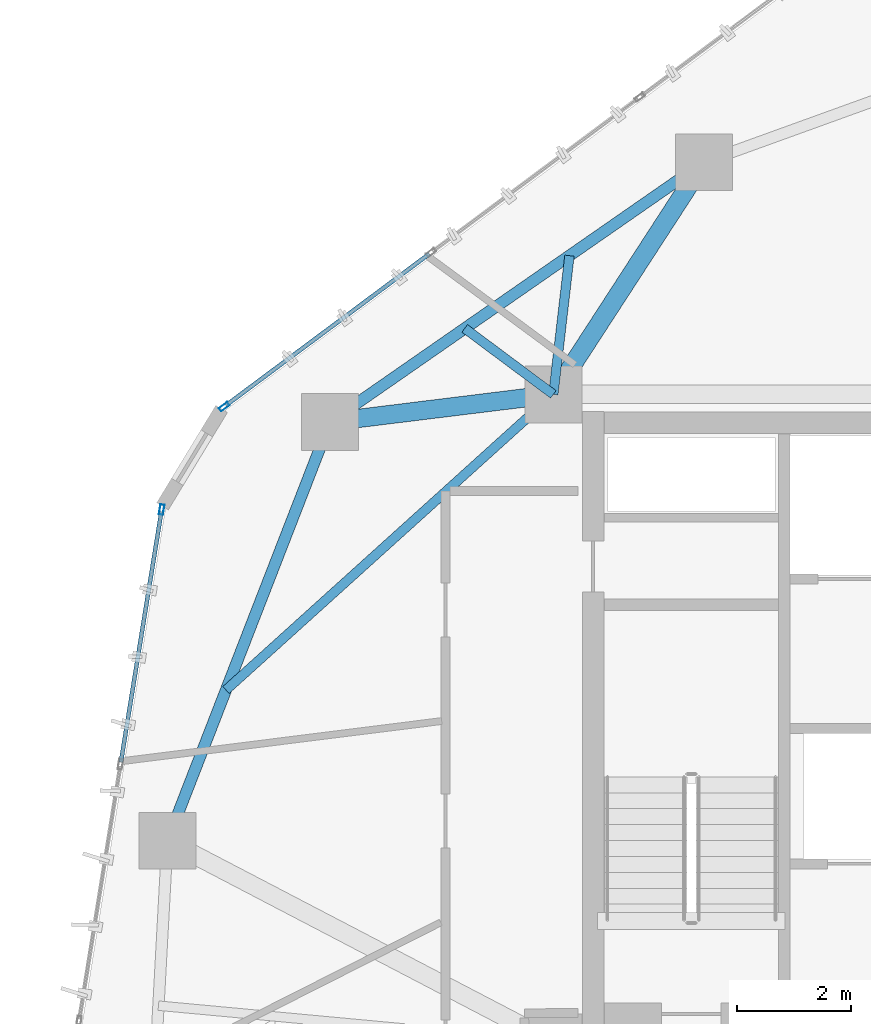
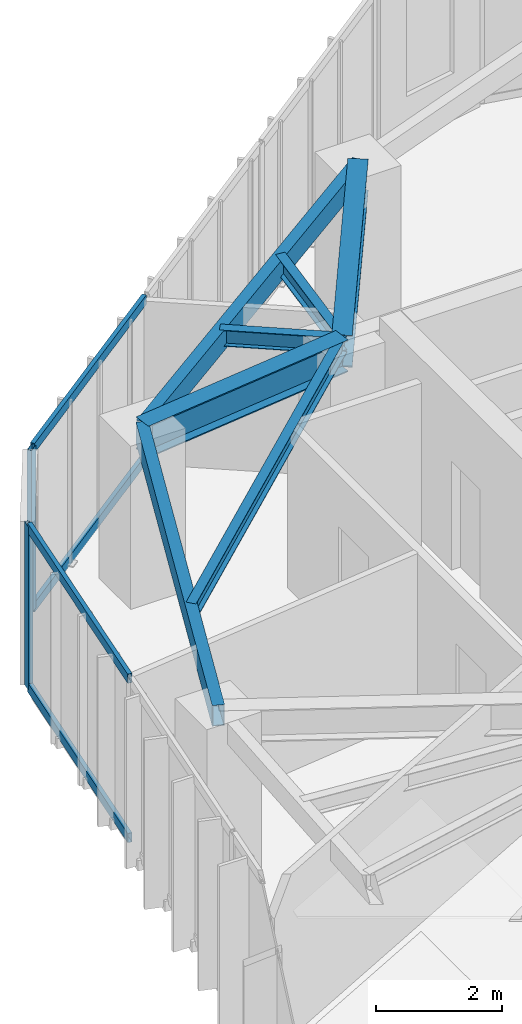
# One storey, part 8 of 20: 7 beams, 6 members, 2 elements without a shape of their own.
"""IFC4 building model written with IfcOpenShell, lengths in metres."""

import ifcopenshell
import ifcopenshell.guid

model = None  # the IFC model being written
_history = None  # IfcOwnerHistory: only IFC2X3 demands one
_inside = {}  # id of a spatial element -> (the spatial element, [elements in it])
_under = {}  # id of a project, library or spatial element -> (it, [spatial elements below it])
_declared = {}  # id of a project -> (the project, [libraries it declares])
_typed = {}  # id of a type object -> (the type object, [elements of that type])
_made_of = {}  # id of a material, layer set ... -> (it, [elements and type objects made of it])


def new_model(schema):
    """Start an empty IFC model of exactly this schema.

    Asked for "IFC4X3", IfcOpenShell would pick the latest addendum, in which some entities
    have other attributes; the version numbers below select the first issue.
    IFC2X3 requires an IfcOwnerHistory on every rooted entity: one is made here for all.
    """
    global model, _history
    if schema == "IFC4X3":
        model = ifcopenshell.file(schema_version=(4, 3, 0, 0))
    else:
        model = ifcopenshell.file(schema=schema)
    _inside.clear()
    _under.clear()
    _declared.clear()
    _typed.clear()
    _made_of.clear()
    _history = None
    if model.schema == "IFC2X3":
        org = make("IfcOrganization", Name="unknown")
        user = make(
            "IfcPersonAndOrganization",
            ThePerson=make("IfcPerson", FamilyName="unknown"),
            TheOrganization=org,
        )
        app = make(
            "IfcApplication",
            ApplicationDeveloper=org,
            Version="unknown",
            ApplicationFullName="unknown",
            ApplicationIdentifier="unknown",
        )
        _history = make(
            "IfcOwnerHistory",
            OwningUser=user,
            OwningApplication=app,
            ChangeAction="ADDED",
            CreationDate=0,
        )
    return model


def make(cls, **values):
    """One entity of the class cls with the attributes given. An attribute that is None is left unset."""
    return model.create_entity(
        cls, **{name: value for name, value in values.items() if value is not None}
    )


def rooted(cls, **values):
    """An entity with a GlobalId (a new one), such as an element, a storey or a relation."""
    return make(cls, GlobalId=ifcopenshell.guid.new(), OwnerHistory=_history, **values)


def si_unit(unit_type, name, prefix=None):
    """IfcSIUnit, for example si_unit("LENGTHUNIT", "METRE", prefix="MILLI")."""
    return make("IfcSIUnit", UnitType=unit_type, Prefix=prefix, Name=name)


def assignment(units):
    """IfcUnitAssignment: the units of a project."""
    return None if units is None else make("IfcUnitAssignment", Units=units)


def point(xyz):
    """IfcCartesianPoint."""
    return None if xyz is None else make("IfcCartesianPoint", Coordinates=xyz)


def direction(xyz):
    """IfcDirection."""
    return None if xyz is None else make("IfcDirection", DirectionRatios=xyz)


def frame(location, z_axis=None, x_axis=None):
    """IfcAxis2Placement3D, a coordinate frame: its origin and axes. An axis left out is left unset."""
    return make(
        "IfcAxis2Placement3D",
        Location=point(location),
        Axis=direction(z_axis),
        RefDirection=direction(x_axis),
    )


def frame_2d(location, x_axis=None):
    """IfcAxis2Placement2D, a coordinate frame in the plane: its origin and x axis."""
    return make(
        "IfcAxis2Placement2D", Location=point(location), RefDirection=direction(x_axis)
    )


def origin():
    """The frame at (0, 0, 0) with its axes left unset."""
    return frame((0.0, 0.0, 0.0))


def origin_2d():
    """The frame at (0, 0) in the plane with its x axis left unset."""
    return frame_2d((0.0, 0.0))


def place(relative_to, where):
    """IfcLocalPlacement: puts the frame where relative to a parent placement (None: the world)."""
    return make(
        "IfcLocalPlacement", PlacementRelTo=relative_to, RelativePlacement=where
    )


def context(
    kind, dimensions, precision=None, world=None, true_north=None, identifier=None
):
    """IfcGeometricRepresentationContext, for example the 3D "Model" context."""
    return make(
        "IfcGeometricRepresentationContext",
        ContextIdentifier=identifier,
        ContextType=kind,
        CoordinateSpaceDimension=dimensions,
        Precision=precision,
        WorldCoordinateSystem=world,
        TrueNorth=true_north,
    )


def subcontext(parent, identifier, kind, view, scale=None):
    """IfcGeometricRepresentationSubContext, for example "Body" below "Model"."""
    return make(
        "IfcGeometricRepresentationSubContext",
        ContextIdentifier=identifier,
        ContextType=kind,
        ParentContext=parent,
        TargetScale=scale,
        TargetView=view,
    )


def project(units=None, contexts=None):
    """IfcProject with its units and contexts."""
    return rooted(
        "IfcProject",
        Name="project",
        RepresentationContexts=contexts,
        UnitsInContext=assignment(units),
    )


def spatial(cls, under=None, at=None, **own):
    """A site, building, storey or space (cls), placed at a placement, below another one or the project."""
    s = rooted(cls, ObjectPlacement=at, **own)
    if under is not None:
        _under.setdefault(under.id(), (under, []))[1].append(s)
    return s


def profile(cls, at=None, kind="AREA", **sizes):
    """A parametric profile (cls). Its sizes go by their IFC names, for example OverallWidth=200.0."""
    return make(cls, ProfileType=kind, Position=at, **sizes)


def hollow_rectangle(**sizes):
    """IfcRectangleHollowProfileDef."""
    return profile("IfcRectangleHollowProfileDef", **sizes)


def i_section(**sizes):
    """IfcIShapeProfileDef."""
    return profile("IfcIShapeProfileDef", **sizes)


def extrude(swept, where, along, depth):
    """IfcExtrudedAreaSolid: the profile swept, set in the frame where, extruded along a direction by depth."""
    return make(
        "IfcExtrudedAreaSolid",
        SweptArea=swept,
        Position=where,
        ExtrudedDirection=direction(along),
        Depth=depth,
    )


def shape(context_of_items, identifier, shape_type, items):
    """IfcShapeRepresentation: the items that make up one representation, for example the "Body"."""
    return make(
        "IfcShapeRepresentation",
        ContextOfItems=context_of_items,
        RepresentationIdentifier=identifier,
        RepresentationType=shape_type,
        Items=items,
    )


def source(mapping_origin, context_of_items, identifier, shape_type, items):
    """IfcRepresentationMap: a shape defined once, which mapped items show again and again."""
    return make(
        "IfcRepresentationMap",
        MappingOrigin=mapping_origin,
        MappedRepresentation=shape(context_of_items, identifier, shape_type, items),
    )


def transform(
    local_origin,
    x_axis=None,
    y_axis=None,
    z_axis=None,
    scale=None,
    scale2=None,
    scale3=None,
    uniform=True,
):
    """IfcCartesianTransformationOperator3D, or its non-uniform kind. x_axis, y_axis, z_axis: its Axis1, 2, 3."""
    if uniform:
        return make(
            "IfcCartesianTransformationOperator3D",
            Axis1=direction(x_axis),
            Axis2=direction(y_axis),
            LocalOrigin=point(local_origin),
            Scale=scale,
            Axis3=direction(z_axis),
        )
    return make(
        "IfcCartesianTransformationOperator3DnonUniform",
        Axis1=direction(x_axis),
        Axis2=direction(y_axis),
        LocalOrigin=point(local_origin),
        Scale=scale,
        Axis3=direction(z_axis),
        Scale2=scale2,
        Scale3=scale3,
    )


def mapped(mapping_source, mapping_target):
    """IfcMappedItem: shows the shape of a source again, moved by a transform."""
    return make(
        "IfcMappedItem", MappingSource=mapping_source, MappingTarget=mapping_target
    )


def material(Name=None, Category=None):
    """IfcMaterial."""
    return make("IfcMaterial", Name=Name, Category=Category)


def layer(
    of_material, thickness, ventilated=None, Name=None, Category=None, Priority=None
):
    """IfcMaterialLayer: one layer of a wall or slab, of a material (None: an air gap)."""
    return make(
        "IfcMaterialLayer",
        Material=of_material,
        LayerThickness=thickness,
        IsVentilated=ventilated,
        Name=Name,
        Category=Category,
        Priority=Priority,
    )


def layer_set(layers, Name=None):
    """IfcMaterialLayerSet."""
    return make("IfcMaterialLayerSet", MaterialLayers=layers, LayerSetName=Name)


def material_profile(
    of_material, cross_section, Name=None, Category=None, Priority=None
):
    """IfcMaterialProfile: a cross section and its material."""
    return make(
        "IfcMaterialProfile",
        Name=Name,
        Material=of_material,
        Profile=cross_section,
        Priority=Priority,
        Category=Category,
    )


def profile_set(profiles, Name=None, composite=None):
    """IfcMaterialProfileSet."""
    return make(
        "IfcMaterialProfileSet",
        Name=Name,
        MaterialProfiles=profiles,
        CompositeProfile=composite,
    )


def made_of(thing, what):
    """Note that an element or type object is made of a material, layer set ...; save() writes the relation."""
    if what is not None:
        _made_of.setdefault(what.id(), (what, []))[1].append(thing)
    return thing


def type_object(cls, material=None, **own):
    """A type object (cls), such as IfcWallType, which elements share."""
    return made_of(rooted(cls, **own), material)


def type_shapes(of_type, sources):
    """Give a type object the sources (RepresentationMaps) that its elements show as mapped items."""
    of_type.RepresentationMaps = sources


def element(
    cls,
    number,
    at=None,
    inside=None,
    cuts=None,
    type_object=None,
    material=None,
    context=None,
    identifier="Body",
    shape_type=None,
    held_by="IfcProductDefinitionShape",
    body=None,
    shapes=None,
    **own,
):
    """One element of the class cls, such as IfcWall. Its Tag is "e" and its number.

    at: its placement. inside: the storey or other place that contains it. cuts: it is an
    opening in that element (IfcRelVoidsElement). A single representation is given by context,
    identifier, shape_type and body (its items); several are given by shapes. held_by: the class
    of the entity that holds the representations. save() writes the other relations.
    """
    e = rooted(cls, Tag="e%d" % number, ObjectPlacement=at, **own)
    if body is not None:
        shapes = [shape(context, identifier, shape_type, body)]
    if shapes is not None:
        e.Representation = make(held_by, Representations=shapes)
    if inside is not None:
        _inside.setdefault(inside.id(), (inside, []))[1].append(e)
    if cuts is not None:
        rooted(
            "IfcRelVoidsElement", RelatingBuildingElement=cuts, RelatedOpeningElement=e
        )
    if type_object is not None:
        _typed.setdefault(type_object.id(), (type_object, []))[1].append(e)
    return made_of(e, material)


def aggregate(whole, parts):
    """IfcRelAggregates: a whole, such as a stair, and the parts it consists of."""
    return rooted("IfcRelAggregates", RelatingObject=whole, RelatedObjects=parts)


def save(model, path):
    """Write the relations noted so far, then the file.

    IfcRelAggregates (storeys below a building ...), IfcRelContainedInSpatialStructure (elements
    in a storey), IfcRelDefinesByType, IfcRelAssociatesMaterial and IfcRelDeclares: one each for
    every whole, place, type object, material and project.
    """
    for whole, parts in _under.values():
        aggregate(whole, parts)
    for where, things in _inside.values():
        rooted(
            "IfcRelContainedInSpatialStructure",
            RelatedElements=things,
            RelatingStructure=where,
        )
    for kind, things in _typed.values():
        rooted("IfcRelDefinesByType", RelatedObjects=things, RelatingType=kind)
    for what, things in _made_of.values():
        rooted("IfcRelAssociatesMaterial", RelatedObjects=things, RelatingMaterial=what)
    for by, libraries in _declared.values():
        rooted("IfcRelDeclares", RelatingContext=by, RelatedDefinitions=libraries)
    model.write(path)


model = new_model("IFC4")

# Units and contexts
model_context = context("Model", 3, precision=1e-05, world=origin(), true_north=direction((0.0, 1.0)))
body_context = subcontext(model_context, "Body", "Model", "MODEL_VIEW")
ifc_project = project(units=[si_unit("LENGTHUNIT", "METRE"), si_unit("AREAUNIT", "SQUARE_METRE"), si_unit("VOLUMEUNIT", "CUBIC_METRE"), si_unit("PLANEANGLEUNIT", "RADIAN"), si_unit("MASSUNIT", "GRAM", prefix="KILO")], contexts=[model_context])

# Site, building, storey
site_placement = place(None, origin())
site = spatial("IfcSite", under=ifc_project, at=site_placement, CompositionType="ELEMENT")
building_placement = place(site_placement, origin())
building = spatial("IfcBuilding", under=site, at=building_placement, Name="Talar Marvaseh", CompositionType="ELEMENT")
storey_placement = place(building_placement, frame((0.0, 0.0, 198.5)))
storey = spatial("IfcBuildingStorey", under=building, at=storey_placement, Name="L52", CompositionType="ELEMENT", Elevation=198.5)

# Beams
ifc_material_1 = material(Name="Steel S355", Category="steel")
ifc_material_profile_1 = material_profile(ifc_material_1, hollow_rectangle(XDim=0.199951171875, YDim=0.39990234375, WallThickness=0.013916015625, at=origin_2d()), Name="RHS400x200x14")
ifc_profile_set_1 = profile_set([ifc_material_profile_1], Name="Steel S355")
beam_type_1 = type_object("IfcBeamType", Name="Zone 3 Perimeter Spandrel Beam RHS400x200x14", PredefinedType="SPANDREL", material=ifc_profile_set_1)
beam_1_placement = place(storey_placement, frame((11.908935546875, 29.044921875, 2.949951171875), z_axis=(0.362169134611, 0.932112395548, 0.0), x_axis=(-0.932112395548, 0.362169134611, 0.0)))
element("IfcBeam", 1, at=beam_1_placement, inside=storey, type_object=beam_type_1, Name="L52 Zone 3 Perimeter Spandrel Beam RHS400x200x14", PredefinedType="SPANDREL", context=body_context, shape_type="SweptSolid", body=[
    extrude(hollow_rectangle(XDim=0.199951171875, YDim=0.39990234375, WallThickness=0.013916015625, at=origin_2d()), origin(), (0.0, 0.0, 1.0), 7.907958984375),
])
beam_2_placement = place(storey_placement, frame((14.77294921875, 36.416015625, 2.949951171875), z_axis=(0.821296978901, 0.570500896098, 0.0), x_axis=(-0.570500896098, 0.821296978901, 0.0)))
element("IfcBeam", 2, at=beam_2_placement, inside=storey, type_object=beam_type_1, Name="L52 Zone 3 Perimeter Spandrel Beam RHS400x200x14", PredefinedType="SPANDREL", context=body_context, shape_type="SweptSolid", body=[
    extrude(hollow_rectangle(XDim=0.199951171875, YDim=0.39990234375, WallThickness=0.013916015625, at=origin_2d()), origin(), (0.0, 0.0, 1.0), 8.0107421875),
])
ifc_material_profile_2 = material_profile(ifc_material_1, i_section(OverallWidth=0.324951171875, OverallDepth=0.615966796875, WebThickness=0.013916015625, FlangeThickness=0.021484375, at=origin_2d()), Name="W610x174")
ifc_profile_set_2 = profile_set([ifc_material_profile_2], Name="Steel S355")
beam_type_2 = type_object("IfcBeamType", Name="Zone 3 Radial Floor Girder W610x174", PredefinedType="BEAM", material=ifc_profile_set_2)
beam_3_placement = place(storey_placement, frame((14.77294921875, 36.416015625, 2.842041015625), z_axis=(0.99249373738, 0.122295467049, 0.0), x_axis=(-0.122295467049, 0.99249373738, 0.0)))
element("IfcBeam", 3, at=beam_3_placement, inside=storey, type_object=beam_type_2, Name="L52 Zone 3 Radial Floor Girder W610x174", PredefinedType="BEAM", context=body_context, shape_type="SweptSolid", body=[
    extrude(i_section(OverallWidth=0.324951171875, OverallDepth=0.615966796875, WebThickness=0.013916015625, FlangeThickness=0.021484375, at=origin_2d()), origin(), (0.0, 0.0, 1.0), 3.956787109375),
])
beam_4_placement = place(storey_placement, frame((21.35205078125, 40.986083984375, 2.842041015625), z_axis=(-0.544422757063, -0.838810980849, 0.0), x_axis=(0.838810980849, -0.544422757063, 0.0)))
element("IfcBeam", 4, at=beam_4_placement, inside=storey, type_object=beam_type_2, Name="L52 Zone 3 Radial Floor Girder W610x174", PredefinedType="BEAM", context=body_context, shape_type="SweptSolid", body=[
    extrude(i_section(OverallWidth=0.324951171875, OverallDepth=0.615966796875, WebThickness=0.013916015625, FlangeThickness=0.021484375, at=origin_2d()), origin(), (0.0, 0.0, 1.0), 4.871337890625),
])
ifc_material_profile_3 = material_profile(ifc_material_1, i_section(OverallWidth=0.166015625, OverallDepth=0.31298828125, WebThickness=0.006591796875, FlangeThickness=0.01123046875, at=origin_2d()), Name="W310x45")
ifc_profile_set_3 = profile_set([ifc_material_profile_3], Name="Steel S355")
beam_type_3 = type_object("IfcBeamType", Name="Zone 3 Secondary Floor Joist W310x45", PredefinedType="JOIST", material=ifc_profile_set_3)
beam_5_placement = place(storey_placement, frame((12.93994140625, 31.698486328125, 2.993408203125), z_axis=(0.74217784775, 0.670202985899, 0.0), x_axis=(-0.670202985899, 0.74217784775, 0.0)))
element("IfcBeam", 5, at=beam_5_placement, inside=storey, type_object=beam_type_3, Name="L52 Zone 3 Secondary Floor Joist W310x45", PredefinedType="JOIST", context=body_context, shape_type="SweptSolid", body=[
    extrude(i_section(OverallWidth=0.166015625, OverallDepth=0.31298828125, WebThickness=0.006591796875, FlangeThickness=0.01123046875, at=origin_2d()), origin(), (0.0, 0.0, 1.0), 7.760986328125),
])
beam_6_placement = place(storey_placement, frame((17.141357421875, 38.061279296875, 2.993408203125), z_axis=(0.801865127607, -0.597505077072, 0.0), x_axis=(0.597505077072, 0.801865127607, 0.0)))
element("IfcBeam", 6, at=beam_6_placement, inside=storey, type_object=beam_type_3, Name="L52 Zone 3 Secondary Floor Joist W310x45", PredefinedType="JOIST", context=body_context, shape_type="SweptSolid", body=[
    extrude(i_section(OverallWidth=0.166015625, OverallDepth=0.31298828125, WebThickness=0.006591796875, FlangeThickness=0.01123046875, at=origin_2d()), origin(), (0.0, 0.0, 1.0), 1.943603515625),
])
beam_7_placement = place(storey_placement, frame((18.983642578125, 39.3408203125, 2.993408203125), z_axis=(-0.115446145895, -0.993313740667, 0.0), x_axis=(0.993313740667, -0.115446145895, 0.0)))
element("IfcBeam", 7, at=beam_7_placement, inside=storey, type_object=beam_type_3, Name="L52 Zone 3 Secondary Floor Joist W310x45", PredefinedType="JOIST", context=body_context, shape_type="SweptSolid", body=[
    extrude(i_section(OverallWidth=0.166015625, OverallDepth=0.31298828125, WebThickness=0.006591796875, FlangeThickness=0.01123046875, at=origin_2d()), origin(), (0.0, 0.0, 1.0), 2.457275390625),
])

# Curtain wall, members
ifc_material_2 = material(Name="Architectural Aluminium", Category="aluminium")
ifc_layer = layer(ifc_material_2, 0.18994140625)
ifc_layer_set = layer_set([ifc_layer], Name="Architectural Aluminium")
curtain_wall_type = type_object("IfcCurtainWallType", Name="Unitised Solar Atelier Curtain Wall Z3", PredefinedType="NOTDEFINED", material=ifc_layer_set)
curtain_wall_1_placement = place(storey_placement, origin())
curtain_wall_1 = element("IfcCurtainWall", 8, at=curtain_wall_1_placement, inside=storey, type_object=curtain_wall_type, Name="L52 Unitised Solar Atelier Curtain Wall Z3", PredefinedType="NOTDEFINED")
ifc_material_profile_4 = material_profile(ifc_material_2, hollow_rectangle(XDim=0.074951171875, YDim=0.179931640625, WallThickness=0.0048828125, at=origin_2d()), Name="RHS180x75x5")
ifc_profile_set_4 = profile_set([ifc_material_profile_4], Name="Architectural Aluminium")
member_type_1 = type_object("IfcMemberType", Name="Unitised Curtain Wall Transom RHS180x75x5", PredefinedType="USERDEFINED", material=ifc_profile_set_4)
shared_shape_1 = source(origin(), body_context, "Body", "SweptSolid", [
    extrude(hollow_rectangle(XDim=0.074951171875, YDim=0.179931640625, WallThickness=0.0048828125, at=origin_2d()), origin(), (0.0, 0.0, 1.0), 4.464599609375),
])
type_shapes(member_type_1, [shared_shape_1])
member_1_placement = place(storey_placement, frame((11.0908203125, 30.42822265625, 0.03759765625), z_axis=(0.159564242049, 0.987187546852, 0.0), x_axis=(-0.987187546852, 0.159564242049, 0.0)))
member_1 = element("IfcMember", 9, at=member_1_placement, type_object=member_type_1, Name="CW-Z3 transom 3.1", ObjectType="TRANSOM", PredefinedType="USERDEFINED", context=body_context, shape_type="MappedRepresentation", body=[
    mapped(shared_shape_1, transform((0.0, 0.0, 0.0), x_axis=(1.0, 0.0, 0.0), y_axis=(0.0, 1.0, 0.0), z_axis=(0.0, 0.0, 1.0), scale=1.0)),
])
member_2_placement = place(storey_placement, frame((11.0908203125, 30.42822265625, 3.112548828125), z_axis=(0.159564242049, 0.987187546852, 0.0), x_axis=(-0.987187546852, 0.159564242049, 0.0)))
member_2 = element("IfcMember", 10, at=member_2_placement, type_object=member_type_1, Name="CW-Z3 transom 3.2", ObjectType="TRANSOM", PredefinedType="USERDEFINED", context=body_context, shape_type="MappedRepresentation", body=[
    mapped(shared_shape_1, transform((0.0, 0.0, 0.0), x_axis=(1.0, 0.0, 0.0), y_axis=(0.0, 1.0, 0.0), z_axis=(0.0, 0.0, 1.0), scale=1.0)),
])

curtain_wall_2_placement = place(storey_placement, origin())
curtain_wall_2 = element("IfcCurtainWall", 11, at=curtain_wall_2_placement, inside=storey, type_object=curtain_wall_type, Name="L52 Unitised Solar Atelier Curtain Wall Z3", PredefinedType="NOTDEFINED")
member_3_placement = place(storey_placement, frame((12.93798828125, 36.70556640625, 0.03759765625), z_axis=(0.801977339668, 0.597354456466, 0.0), x_axis=(-0.597354456466, 0.801977339668, 0.0)))
member_3 = element("IfcMember", 12, at=member_3_placement, type_object=member_type_1, Name="CW-Z3 transom 1.1", ObjectType="TRANSOM", PredefinedType="USERDEFINED", context=body_context, shape_type="MappedRepresentation", body=[
    mapped(shared_shape_1, transform((0.0, 0.0, 0.0), x_axis=(1.0, 0.0, 0.0), y_axis=(0.0, 1.0, 0.0), z_axis=(0.0, 0.0, 1.0), scale=1.0)),
])
member_4_placement = place(storey_placement, frame((12.93798828125, 36.70556640625, 3.112548828125), z_axis=(0.801977339668, 0.597354456466, 0.0), x_axis=(-0.597354456466, 0.801977339668, 0.0)))
member_4 = element("IfcMember", 13, at=member_4_placement, type_object=member_type_1, Name="CW-Z3 transom 1.2", ObjectType="TRANSOM", PredefinedType="USERDEFINED", context=body_context, shape_type="MappedRepresentation", body=[
    mapped(shared_shape_1, transform((0.0, 0.0, 0.0), x_axis=(1.0, 0.0, 0.0), y_axis=(0.0, 1.0, 0.0), z_axis=(0.0, 0.0, 1.0), scale=1.0)),
])

# Member
ifc_material_profile_5 = material_profile(ifc_material_2, hollow_rectangle(XDim=0.074951171875, YDim=0.179931640625, WallThickness=0.0048828125, at=origin_2d()), Name="RHS180x75x5")
ifc_profile_set_5 = profile_set([ifc_material_profile_5], Name="Architectural Aluminium")
member_type_2 = type_object("IfcMemberType", Name="Unitised Curtain Wall Standard Mullion RHS180x75x5", PredefinedType="MULLION", material=ifc_profile_set_5)
shared_shape_2 = source(origin(), body_context, "Body", "SweptSolid", [
    extrude(hollow_rectangle(XDim=0.074951171875, YDim=0.179931640625, WallThickness=0.0048828125, at=origin_2d()), origin(), (0.0, 0.0, 1.0), 3.14990234375),
])
type_shapes(member_type_2, [shared_shape_2])
member_5_placement = place(storey_placement, frame((11.809326171875, 34.87255859375, 0.0), z_axis=(0.0, 0.0, 1.0), x_axis=(-0.987186333682, 0.159571747475, 0.0)))
member_5 = element("IfcMember", 14, at=member_5_placement, type_object=member_type_2, Name="CW-Z3 mullion 4", PredefinedType="MULLION", context=body_context, shape_type="MappedRepresentation", body=[
    mapped(shared_shape_2, transform((0.0, 0.0, 0.0), x_axis=(1.0, 0.0, 0.0), y_axis=(0.0, 1.0, 0.0), z_axis=(0.0, 0.0, 1.0), scale=1.0)),
])

aggregate(curtain_wall_1, [member_5, member_1, member_2])

member_6_placement = place(storey_placement, frame((12.907958984375, 36.68310546875, 0.0), z_axis=(0.0, 0.0, 1.0), x_axis=(-0.597376277836, 0.801961085514, 0.0)))
member_6 = element("IfcMember", 15, at=member_6_placement, type_object=member_type_2, Name="CW-Z3 mullion 1", PredefinedType="MULLION", context=body_context, shape_type="MappedRepresentation", body=[
    mapped(shared_shape_2, transform((0.0, 0.0, 0.0), x_axis=(1.0, 0.0, 0.0), y_axis=(0.0, 1.0, 0.0), z_axis=(0.0, 0.0, 1.0), scale=1.0)),
])

aggregate(curtain_wall_2, [member_6, member_3, member_4])

save(model, "model.ifc")
